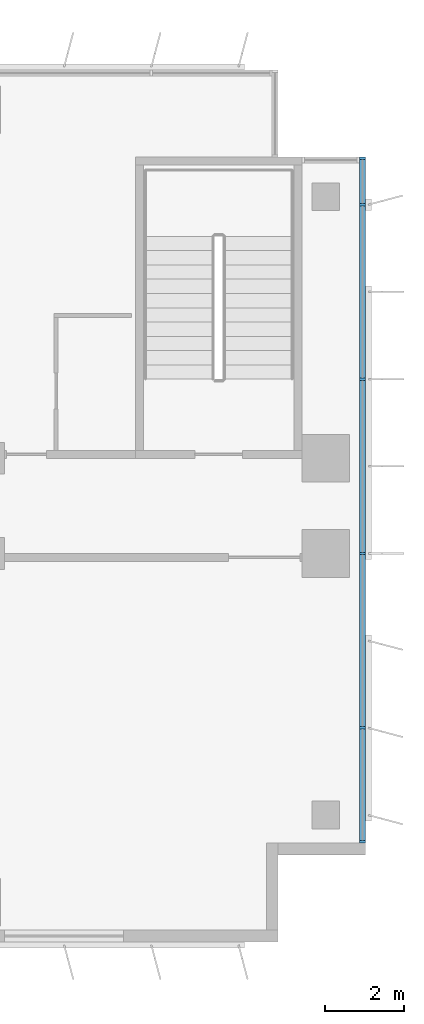
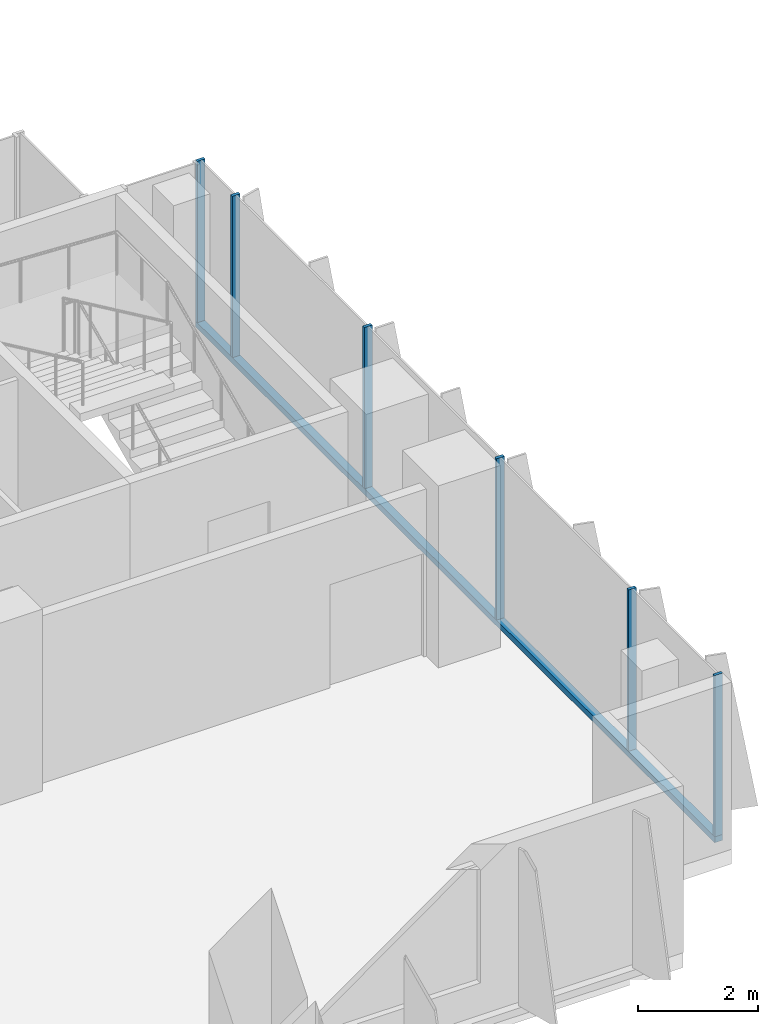
# One storey, part 8 of 22: 7 members, 1 element without a shape of its own.
"""IFC4 building model written with IfcOpenShell, lengths in metres."""

from ifc_helpers import new_model, si_unit, direction, frame, origin, origin_2d, place, context, subcontext, project, spatial, rectangle, extrude, source, transform, mapped, material, material_profile, profile_set, type_object, element, aggregate, save


model = new_model("IFC4")

# Units and contexts
model_context = context("Model", 3, precision=1e-05, world=origin(), true_north=direction((0.0, 1.0)))
body_context = subcontext(model_context, "Body", "Model", "MODEL_VIEW")
ifc_project = project(units=[si_unit("LENGTHUNIT", "METRE"), si_unit("AREAUNIT", "SQUARE_METRE"), si_unit("VOLUMEUNIT", "CUBIC_METRE"), si_unit("PLANEANGLEUNIT", "RADIAN"), si_unit("MASSUNIT", "GRAM", prefix="KILO")], contexts=[model_context])

# Site, building, storey
site_placement = place(None, origin())
site = spatial("IfcSite", under=ifc_project, at=site_placement, CompositionType="ELEMENT")
building_placement = place(site_placement, origin())
building = spatial("IfcBuilding", under=site, at=building_placement, Name="Kemantara Hotel Tower", CompositionType="ELEMENT")
storey_placement = place(building_placement, frame((0.0, 0.0, 107.39990234375)))
storey = spatial("IfcBuildingStorey", under=building, at=storey_placement, Name="L25", CompositionType="ELEMENT", Elevation=107.39990234375)

# Curtain wall, members
ifc_material_1 = material(Name="Low-E tinted double insulated glass 36 mm", Category="glass")
curtain_wall_type = type_object("IfcCurtainWallType", Name="TOWER CURTAIN WALL, FRONT FACES", PredefinedType="USERDEFINED", material=ifc_material_1)
curtain_wall_placement = place(storey_placement, origin())
curtain_wall = element("IfcCurtainWall", 1, at=curtain_wall_placement, inside=storey, type_object=curtain_wall_type, Name="CW4 L25 T2-R10-1", ObjectType="TOWER CURTAIN WALL, FRONT FACES", PredefinedType="USERDEFINED")
ifc_material_2 = material(Name="Aluminium 6063-T6 bronze anodised", Category="aluminium")
ifc_material_profile_1 = material_profile(ifc_material_2, rectangle(XDim=0.14990234375, YDim=0.1201171875, at=origin_2d()), Name="TOWER CURTAIN WALL, FRONT FACES TRANSOM")
ifc_profile_set_1 = profile_set([ifc_material_profile_1], Name="Aluminium 6063-T6 bronze anodised")
member_type_1 = type_object("IfcMemberType", Name="TOWER CURTAIN WALL, FRONT FACES TRANSOM", PredefinedType="USERDEFINED", material=ifc_profile_set_1)
member_1_placement = place(storey_placement, frame((63.52490234375, 2.5, 0.06005859375), z_axis=(0.0, 1.0, 0.0), x_axis=(-1.0, 0.0, 0.0)))
member_1 = element("IfcMember", 2, at=member_1_placement, type_object=member_type_1, Name="CW4 sill transom T2-R10-1", ObjectType="TRANSOM", PredefinedType="USERDEFINED", context=body_context, shape_type="SweptSolid", body=[
    extrude(rectangle(XDim=0.14990234375, YDim=0.1201171875, at=origin_2d()), origin(), (0.0, 0.0, 1.0), 17.300048828125),
])
ifc_material_profile_2 = material_profile(ifc_material_2, rectangle(XDim=0.14990234375, YDim=0.06005859375, at=origin_2d()), Name="TOWER CURTAIN WALL, FRONT FACES MULLION")
ifc_profile_set_2 = profile_set([ifc_material_profile_2], Name="Aluminium 6063-T6 bronze anodised")
member_type_2 = type_object("IfcMemberType", Name="TOWER CURTAIN WALL, FRONT FACES MULLION", PredefinedType="MULLION", material=ifc_profile_set_2)
shared_shape = source(origin(), body_context, "Body", "SweptSolid", [
    extrude(rectangle(XDim=0.14990234375, YDim=0.06005859375, at=origin_2d()), origin(), (0.0, 0.0, 1.0), 3.280029296875),
])
member_2_placement = place(storey_placement, frame((63.52490234375, 2.530029296875, 0.1201171875), z_axis=(0.0, 0.0, 1.0), x_axis=(-1.0, 0.0, 0.0)))
member_2 = element("IfcMember", 3, at=member_2_placement, type_object=member_type_2, Name="CW4 mullion T2-R10-1.1", PredefinedType="MULLION", context=body_context, shape_type="MappedRepresentation", body=[
    mapped(shared_shape, transform((0.0, 0.0, 0.0))),
])
member_3_placement = place(storey_placement, frame((63.52490234375, 5.39990234375, 0.1201171875), z_axis=(0.0, 0.0, 1.0), x_axis=(-1.0, 0.0, 0.0)))
member_3 = element("IfcMember", 4, at=member_3_placement, type_object=member_type_2, Name="CW4 mullion T2-R10-1.2", PredefinedType="MULLION", context=body_context, shape_type="MappedRepresentation", body=[
    mapped(shared_shape, transform((0.0, 0.0, 0.0))),
])
member_4_placement = place(storey_placement, frame((63.52490234375, 9.800048828125, 0.1201171875), z_axis=(0.0, 0.0, 1.0), x_axis=(-1.0, 0.0, 0.0)))
member_4 = element("IfcMember", 5, at=member_4_placement, type_object=member_type_2, Name="CW4 mullion T2-R10-1.3", PredefinedType="MULLION", context=body_context, shape_type="MappedRepresentation", body=[
    mapped(shared_shape, transform((0.0, 0.0, 0.0))),
])
member_5_placement = place(storey_placement, frame((63.52490234375, 14.199951171875, 0.1201171875), z_axis=(0.0, 0.0, 1.0), x_axis=(-1.0, 0.0, 0.0)))
member_5 = element("IfcMember", 6, at=member_5_placement, type_object=member_type_2, Name="CW4 mullion T2-R10-1.4", PredefinedType="MULLION", context=body_context, shape_type="MappedRepresentation", body=[
    mapped(shared_shape, transform((0.0, 0.0, 0.0))),
])
member_6_placement = place(storey_placement, frame((63.52490234375, 18.60009765625, 0.1201171875), z_axis=(0.0, 0.0, 1.0), x_axis=(-1.0, 0.0, 0.0)))
member_6 = element("IfcMember", 7, at=member_6_placement, type_object=member_type_2, Name="CW4 mullion T2-R10-1.5", PredefinedType="MULLION", context=body_context, shape_type="MappedRepresentation", body=[
    mapped(shared_shape, transform((0.0, 0.0, 0.0))),
])
member_7_placement = place(storey_placement, frame((63.52490234375, 19.77001953125, 0.1201171875), z_axis=(0.0, 0.0, 1.0), x_axis=(-1.0, 0.0, 0.0)))
member_7 = element("IfcMember", 8, at=member_7_placement, type_object=member_type_2, Name="CW4 mullion T2-R10-1.6", PredefinedType="MULLION", context=body_context, shape_type="MappedRepresentation", body=[
    mapped(shared_shape, transform((0.0, 0.0, 0.0))),
])
aggregate(curtain_wall, [member_1, member_2, member_3, member_4, member_5, member_6, member_7])

save(model, "model.ifc")
